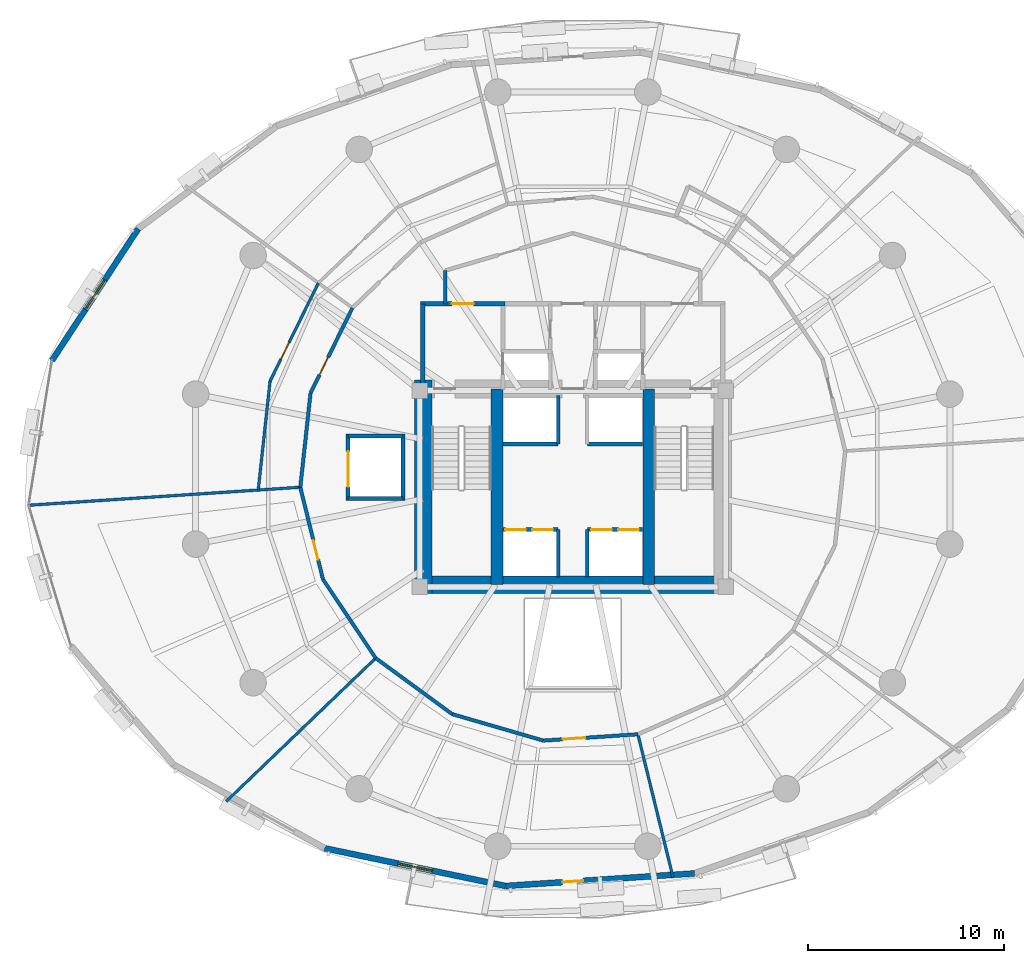
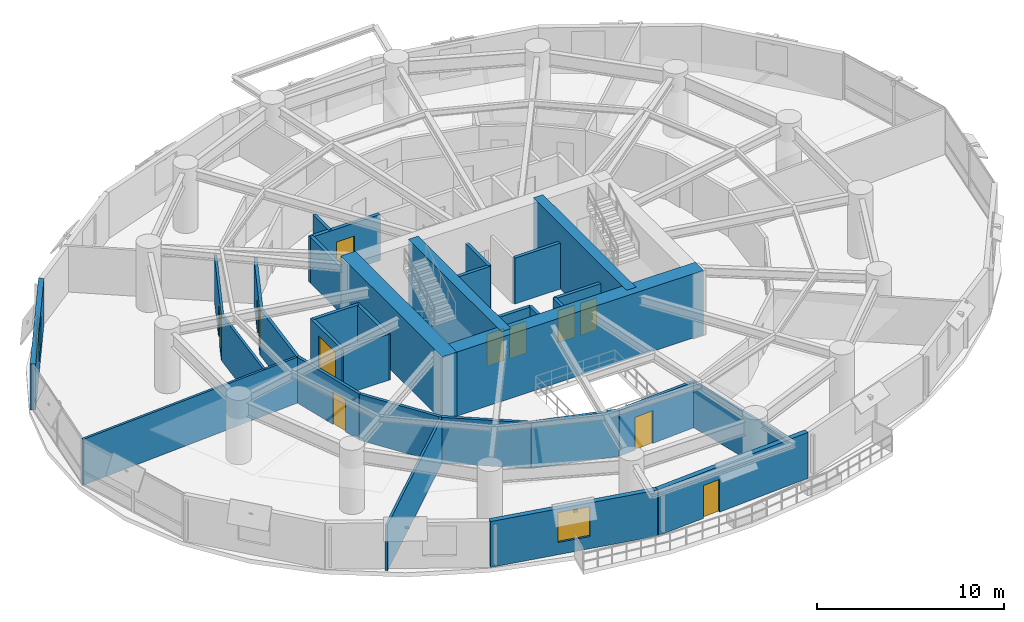
# One storey, part 10 of 16: 33 walls, 11 doors, 2 windows, 13 openings.
"""IFC4 building model written with IfcOpenShell, lengths in metres."""

from ifc_helpers import new_model, si_unit, direction, frame, frame_2d, origin, place, context, subcontext, project, spatial, rectangle, extrude, material, layer, layer_set, type_object, element, fill, save


model = new_model("IFC4")

# Units and contexts
model_context = context("Model", 3, precision=1e-05, world=origin(), true_north=direction((0.0, 1.0)))
body_context = subcontext(model_context, "Body", "Model", "MODEL_VIEW")
ifc_project = project(units=[si_unit("LENGTHUNIT", "METRE"), si_unit("AREAUNIT", "SQUARE_METRE"), si_unit("VOLUMEUNIT", "CUBIC_METRE"), si_unit("PLANEANGLEUNIT", "RADIAN"), si_unit("MASSUNIT", "GRAM", prefix="KILO"), si_unit("THERMODYNAMICTEMPERATUREUNIT", "KELVIN"), si_unit("POWERUNIT", "WATT")], contexts=[model_context])

# Site, building, storey
site_placement = place(None, origin())
site = spatial("IfcSite", under=ifc_project, at=site_placement, CompositionType="ELEMENT")
building_placement = place(site_placement, origin())
building = spatial("IfcBuilding", under=site, at=building_placement, Name="Ocrelia Relay Tower", CompositionType="ELEMENT")
storey_placement = place(building_placement, frame((0.0, 0.0, 46.800048828125)))
storey = spatial("IfcBuildingStorey", under=building, at=storey_placement, Name="L10", CompositionType="ELEMENT", Elevation=46.800048828125)

# Walls
ifc_material_1 = material(Name="Concrete C70/85", Category="concrete")
ifc_layer_1 = layer(ifc_material_1, 0.89990234375, Name="Concrete C70/85")
ifc_layer_set_1 = layer_set([ifc_layer_1], Name="Concrete C70/85")
wall_type_1 = type_object("IfcWallType", Name="CW-CORE-900", PredefinedType="SHEAR", material=ifc_layer_set_1)
wall_1_placement = place(storey_placement, frame((25.922119140625, 20.112060546875, 0.0), z_axis=(0.0, 0.0, 1.0), x_axis=(1.0, 0.0, 0.0)))
element("IfcWall", 1, at=wall_1_placement, inside=storey, type_object=wall_type_1, Name="L10 Core Shear Wall S", PredefinedType="SHEAR", context=body_context, shape_type="SweptSolid", body=[
    extrude(rectangle(XDim=16.165771484375, YDim=0.89990234375, at=frame_2d((8.0830078125, 0.0))), origin(), (0.0, 0.0, 1.0), 4.199951171875),
])
wall_2_placement = place(storey_placement, frame((26.3720703125, 19.662109375, 0.0), z_axis=(0.0, 0.0, 1.0), x_axis=(0.0, 1.0, 0.0)))
element("IfcWall", 2, at=wall_2_placement, inside=storey, type_object=wall_type_1, Name="L10 Core Shear Wall W", PredefinedType="SHEAR", context=body_context, shape_type="SweptSolid", body=[
    extrude(rectangle(XDim=10.8759765625, YDim=0.89990234375, at=frame_2d((5.43798828125, 0.0))), origin(), (0.0, 0.0, 1.0), 4.199951171875),
])
for number, where, z_axis, x_axis, name in (
    (3, (30.137939453125, 20.112060546875, 0.0), (0.0, 0.0, 1.0), (0.0, 1.0, 0.0), "L10 Core Shear Wall SPW"),
    (4, (37.8720703125, 20.112060546875, 0.0), (0.0, 0.0, 1.0), (0.0, 1.0, 0.0), "L10 Core Shear Wall SPE"),
):
    element("IfcWall", number, at=place(storey_placement, frame(where, z_axis=z_axis, x_axis=x_axis)), inside=storey, type_object=wall_type_1, Name=name, PredefinedType="SHEAR", context=body_context, shape_type="SweptSolid", body=[
        extrude(rectangle(XDim=9.975830078125, YDim=0.60009765625, at=frame_2d((4.98779296875, 0.0))), origin(), (0.0, 0.0, 1.0), 4.199951171875),
    ])
ifc_material_2 = material(Name="Gypsum Fireboard Partition EI60", Category="gypsum")
ifc_layer_2 = layer(ifc_material_2, 0.179931640625, Name="Gypsum Fireboard Partition EI60")
ifc_layer_set_2 = layer_set([ifc_layer_2], Name="Gypsum Fireboard Partition EI60")
wall_type_2 = type_object("IfcWallType", Name="W-CORR-EI60-180", PredefinedType="PARTITIONING", material=ifc_layer_set_2)
wall_3_placement = place(storey_placement, frame((27.5, 34.429931640625, 0.0), z_axis=(0.0, 0.0, 1.0), x_axis=(0.0, 1.0, 0.0)))
element("IfcWall", 5, at=wall_3_placement, inside=storey, type_object=wall_type_2, Name="L10 Smoke Lobby West Return", PredefinedType="PARTITIONING", context=body_context, shape_type="SweptSolid", body=[
    extrude(rectangle(XDim=1.69287109375, YDim=0.179931640625, at=frame_2d((0.846435546875, 0.0))), origin(), (0.0, 0.0, 1.0), 3.0),
])

# Wall, opening, door
wall_4_placement = place(storey_placement, frame((22.76708984375, 34.22119140625, 0.0), z_axis=(0.0, 0.0, 1.0), x_axis=(-0.44148764498, -0.897267328799, 0.0)))
wall_4 = element("IfcWall", 6, at=wall_4_placement, inside=storey, type_object=wall_type_2, Name="L10 Systems Office C Corridor Partition 1", PredefinedType="PARTITIONING", context=body_context, shape_type="SweptSolid", body=[
    extrude(rectangle(XDim=4.834228515625, YDim=0.179931640625, at=frame_2d((2.4169921875, 0.0))), origin(), (0.0, 0.0, 1.0), 3.0),
])
opening_1_placement = place(wall_4_placement, frame((2.80078125, 0.0, 0.0)))
opening_1 = element("IfcOpeningElement", 7, at=opening_1_placement, cuts=wall_4, Name="Opening D-RM100", PredefinedType="OPENING", context=body_context, shape_type="SweptSolid", body=[
    extrude(rectangle(XDim=1.0, YDim=2.14990234375, at=frame_2d((0.5, 1.074951171875))), frame((0.0, 0.10009765625, 0.0), z_axis=(0.0, -1.0, 0.0), x_axis=(1.0, 0.0, 0.0)), (0.0, 0.0, 1.0), 0.199951171875),
])
ifc_material_3 = material(Name="Acoustic oak veneer fire door", Category="wood")
door_type_1 = type_object("IfcDoorType", Name="DR-ROOM-FD60-1000", OperationType="NOTDEFINED", PredefinedType="DOOR", material=ifc_material_3)
door_1_placement = place(opening_1_placement, origin())
door_1 = element("IfcDoor", 8, at=door_1_placement, inside=storey, type_object=door_type_1, Name="L10 Systems Office C Entrance Door", OperationType="SINGLE_SWING_LEFT", OverallHeight=2.14990234375, OverallWidth=1.0, PredefinedType="DOOR", context=body_context, shape_type="SweptSolid", body=[
    extrude(rectangle(XDim=1.0, YDim=2.14990234375, at=frame_2d((0.5, 1.074951171875))), frame((0.0, 0.02490234375, 0.0), z_axis=(0.0, -1.0, 0.0), x_axis=(1.0, 0.0, 0.0)), (0.0, 0.0, 1.0), 0.050048828125),
])
fill(opening_1, door_1)

# Wall
wall_5_placement = place(storey_placement, frame((20.6328125, 29.883544921875, 0.0), z_axis=(0.0, 0.0, 1.0), x_axis=(-0.108020120209, -0.994148708006, 0.0)))
element("IfcWall", 9, at=wall_5_placement, inside=storey, type_object=wall_type_2, Name="L10 Systems Office C Corridor Partition 2", PredefinedType="PARTITIONING", context=body_context, shape_type="SweptSolid", body=[
    extrude(rectangle(XDim=4.83447265625, YDim=0.179931640625, at=frame_2d((2.417236328125, 0.0))), origin(), (0.0, 0.0, 1.0), 3.0),
])

# Wall, opening, door
wall_6_placement = place(storey_placement, frame((20.110595703125, 25.077392578125, 0.0), z_axis=(0.0, 0.0, 1.0), x_axis=(0.23856484239, -0.971126570523, 0.0)))
wall_6 = element("IfcWall", 10, at=wall_6_placement, inside=storey, type_object=wall_type_2, Name="L10 Routing Office D Corridor Partition 1", PredefinedType="PARTITIONING", context=body_context, shape_type="SweptSolid", body=[
    extrude(rectangle(XDim=4.83447265625, YDim=0.179931640625, at=frame_2d((2.417236328125, 0.0))), origin(), (0.0, 0.0, 1.0), 3.0),
])
opening_2_placement = place(wall_6_placement, frame((2.80078125, 0.0, 0.0)))
opening_2 = element("IfcOpeningElement", 11, at=opening_2_placement, cuts=wall_6, Name="Opening D-RM100", PredefinedType="OPENING", context=body_context, shape_type="SweptSolid", body=[
    extrude(rectangle(XDim=1.0, YDim=2.14990234375, at=frame_2d((0.5, 1.074951171875))), frame((0.0, 0.10009765625, 0.0), z_axis=(0.0, -1.0, 0.0), x_axis=(1.0, 0.0, 0.0)), (0.0, 0.0, 1.0), 0.199951171875),
])
door_2_placement = place(opening_2_placement, origin())
door_2 = element("IfcDoor", 12, at=door_2_placement, inside=storey, type_object=door_type_1, Name="L10 Routing Office D Entrance Door", OperationType="SINGLE_SWING_LEFT", OverallHeight=2.14990234375, OverallWidth=1.0, PredefinedType="DOOR", context=body_context, shape_type="SweptSolid", body=[
    extrude(rectangle(XDim=1.0, YDim=2.14990234375, at=frame_2d((0.5, 1.074951171875))), frame((0.0, 0.02490234375, 0.0), z_axis=(0.0, -1.0, 0.0), x_axis=(1.0, 0.0, 0.0)), (0.0, 0.0, 1.0), 0.050048828125),
])
fill(opening_2, door_2)

# Walls
wall_7_placement = place(storey_placement, frame((21.263916015625, 20.382568359375, 0.0), z_axis=(0.0, 0.0, 1.0), x_axis=(0.556295861918, -0.830984304312, 0.0)))
element("IfcWall", 13, at=wall_7_placement, inside=storey, type_object=wall_type_2, Name="L10 Routing Office D Corridor Partition 2", PredefinedType="PARTITIONING", context=body_context, shape_type="SweptSolid", body=[
    extrude(rectangle(XDim=4.834228515625, YDim=0.179931640625, at=frame_2d((2.4169921875, 0.0))), origin(), (0.0, 0.0, 1.0), 3.0),
])
wall_8_placement = place(storey_placement, frame((23.953125, 16.365478515625, 0.0), z_axis=(0.0, 0.0, 1.0), x_axis=(0.806956945118, -0.590610268049, 0.0)))
element("IfcWall", 14, at=wall_8_placement, inside=storey, type_object=wall_type_2, Name="L10 Colocation Data Hall A Corridor Partition 1", PredefinedType="PARTITIONING", context=body_context, shape_type="SweptSolid", body=[
    extrude(rectangle(XDim=4.83447265625, YDim=0.179931640625, at=frame_2d((2.417236328125, 0.0))), origin(), (0.0, 0.0, 1.0), 3.0),
])
wall_9_placement = place(storey_placement, frame((27.854248046875, 13.51025390625, 0.0), z_axis=(0.0, 0.0, 1.0), x_axis=(0.960285136702, -0.279020530122, 0.0)))
element("IfcWall", 15, at=wall_9_placement, inside=storey, type_object=wall_type_2, Name="L10 Colocation Data Hall A Corridor Partition 2", PredefinedType="PARTITIONING", context=body_context, shape_type="SweptSolid", body=[
    extrude(rectangle(XDim=4.834228515625, YDim=0.179931640625, at=frame_2d((2.4169921875, 0.0))), origin(), (0.0, 0.0, 1.0), 3.0),
])

# Wall, opening, door
wall_10_placement = place(storey_placement, frame((32.49658203125, 12.161376953125, 0.0), z_axis=(0.0, 0.0, 1.0), x_axis=(0.997802553219, 0.066257564016, 0.0)))
wall_10 = element("IfcWall", 16, at=wall_10_placement, inside=storey, type_object=wall_type_2, Name="L10 Colocation Data Hall A Corridor Partition 3", PredefinedType="PARTITIONING", context=body_context, shape_type="SweptSolid", body=[
    extrude(rectangle(XDim=4.83447265625, YDim=0.179931640625, at=frame_2d((2.417236328125, 0.0))), origin(), (0.0, 0.0, 1.0), 3.0),
])
opening_3_placement = place(wall_10_placement, frame((0.99609375, 0.0, 0.0)))
opening_3 = element("IfcOpeningElement", 17, at=opening_3_placement, cuts=wall_10, Name="Opening D-RM115", PredefinedType="OPENING", context=body_context, shape_type="SweptSolid", body=[
    extrude(rectangle(XDim=1.14990234375, YDim=2.14990234375, at=frame_2d((0.574951171875, 1.074951171875))), frame((0.0, 0.10009765625, 0.0), z_axis=(0.0, -1.0, 0.0), x_axis=(1.0, 0.0, 0.0)), (0.0, 0.0, 1.0), 0.199951171875),
])
ifc_material_4 = material(Name="Wide acoustic oak veneer fire door", Category="wood")
door_type_2 = type_object("IfcDoorType", Name="DR-ROOM-1150", OperationType="NOTDEFINED", PredefinedType="DOOR", material=ifc_material_4)
door_3_placement = place(opening_3_placement, origin())
door_3 = element("IfcDoor", 18, at=door_3_placement, inside=storey, type_object=door_type_2, Name="L10 Colocation Data Hall A Entrance Door", OperationType="SINGLE_SWING_RIGHT", OverallHeight=2.14990234375, OverallWidth=1.14990234375, PredefinedType="DOOR", context=body_context, shape_type="SweptSolid", body=[
    extrude(rectangle(XDim=1.14990234375, YDim=2.14990234375, at=frame_2d((0.574951171875, 1.074951171875))), frame((0.0, 0.02490234375, 0.0), z_axis=(0.0, -1.0, 0.0), x_axis=(1.0, 0.0, 0.0)), (0.0, 0.0, 1.0), 0.050048828125),
])
fill(opening_3, door_3)

# Wall, opening, window
ifc_material_5 = material(Name="Precast concrete C40/50 with oxide terracotta", Category="masonry")
ifc_layer_3 = layer(ifc_material_5, 0.300048828125, Name="Precast concrete C40/50 with oxide terracotta")
ifc_layer_set_3 = layer_set([ifc_layer_3], Name="Precast concrete C40/50 with oxide terracotta")
wall_type_3 = type_object("IfcWallType", Name="W-EXT-TERR-300", PredefinedType="SOLIDWALL", material=ifc_layer_set_3)
wall_11_placement = place(storey_placement, frame((11.843505859375, 38.25, 0.0), z_axis=(0.0, 0.0, 1.0), x_axis=(-0.547551088474, -0.836772254267, 0.0)))
wall_11 = element("IfcWall", 19, at=wall_11_placement, inside=storey, type_object=wall_type_3, Name="L10 Oxide Terracotta Facade Wall 08", PredefinedType="SOLIDWALL", context=body_context, shape_type="SweptSolid", body=[
    extrude(rectangle(XDim=8.021728515625, YDim=0.300048828125, at=frame_2d((4.0107421875, 0.0))), origin(), (0.0, 0.0, 1.0), 3.0),
])
opening_4_placement = place(wall_11_placement, frame((3.111083984375, 0.0, 0.800048828125)))
opening_4 = element("IfcOpeningElement", 20, at=opening_4_placement, cuts=wall_11, Name="Opening W-02", PredefinedType="OPENING", context=body_context, shape_type="SweptSolid", body=[
    extrude(rectangle(XDim=1.800048828125, YDim=1.949951171875, at=frame_2d((0.89990234375, 0.97509765625))), frame((0.0, 0.16015625, 0.0), z_axis=(0.0, -1.0, 0.0), x_axis=(1.0, 0.0, 0.0)), (0.0, 0.0, 1.0), 0.320068359375),
])
ifc_material_6 = material(Name="Clear double-glazed low-E glass", Category="glass")
window_type = type_object("IfcWindowType", Name="WIN-Z1-1800x2100", PartitioningType="DOUBLE_PANEL_VERTICAL", PredefinedType="WINDOW", material=ifc_material_6)
window_1_placement = place(opening_4_placement, origin())
window_1 = element("IfcWindow", 21, at=window_1_placement, inside=storey, type_object=window_type, Name="L10 Facade Module Window 08", OverallHeight=1.949951171875, OverallWidth=1.800048828125, PartitioningType="SINGLE_PANEL", PredefinedType="WINDOW", context=body_context, shape_type="SweptSolid", body=[
    extrude(rectangle(XDim=1.800048828125, YDim=1.949951171875, at=frame_2d((0.89990234375, 0.97509765625))), frame((0.0, 0.030029296875, 0.0), z_axis=(0.0, -1.0, 0.0), x_axis=(1.0, 0.0, 0.0)), (0.0, 0.0, 1.0), 0.06005859375),
])
fill(opening_4, window_1)

wall_12_placement = place(storey_placement, frame((21.35302734375, 6.673095703125, 0.0), z_axis=(0.0, 0.0, 1.0), x_axis=(0.978929281729, -0.20419956262, 0.0)))
wall_12 = element("IfcWall", 22, at=wall_12_placement, inside=storey, type_object=wall_type_3, Name="L10 Oxide Terracotta Facade Wall 13", PredefinedType="SOLIDWALL", context=body_context, shape_type="SweptSolid", body=[
    extrude(rectangle(XDim=9.4189453125, YDim=0.300048828125, at=frame_2d((4.70947265625, 0.0))), origin(), (0.0, 0.0, 1.0), 3.0),
])
opening_5_placement = place(wall_12_placement, frame((3.80908203125, 0.0, 0.800048828125)))
opening_5 = element("IfcOpeningElement", 23, at=opening_5_placement, cuts=wall_12, Name="Opening W-02", PredefinedType="OPENING", context=body_context, shape_type="SweptSolid", body=[
    extrude(rectangle(XDim=1.800048828125, YDim=1.949951171875, at=frame_2d((0.89990234375, 0.97509765625))), frame((0.0, 0.16015625, 0.0), z_axis=(0.0, -1.0, 0.0), x_axis=(1.0, 0.0, 0.0)), (0.0, 0.0, 1.0), 0.320068359375),
])
window_2_placement = place(opening_5_placement, origin())
window_2 = element("IfcWindow", 24, at=window_2_placement, inside=storey, type_object=window_type, Name="L10 Facade Module Window 13", OverallHeight=1.949951171875, OverallWidth=1.800048828125, PartitioningType="SINGLE_PANEL", PredefinedType="WINDOW", context=body_context, shape_type="SweptSolid", body=[
    extrude(rectangle(XDim=1.800048828125, YDim=1.949951171875, at=frame_2d((0.89990234375, 0.97509765625))), frame((0.0, 0.030029296875, 0.0), z_axis=(0.0, -1.0, 0.0), x_axis=(1.0, 0.0, 0.0)), (0.0, 0.0, 1.0), 0.06005859375),
])
fill(opening_5, window_2)

# Wall, opening, door
wall_13_placement = place(storey_placement, frame((30.573486328125, 4.749755859375, 0.0), z_axis=(0.0, 0.0, 1.0), x_axis=(0.997801240682, 0.066277327145, 0.0)))
wall_13 = element("IfcWall", 25, at=wall_13_placement, inside=storey, type_object=wall_type_3, Name="L10 Oxide Terracotta Facade Wall 14", PredefinedType="SOLIDWALL", context=body_context, shape_type="SweptSolid", body=[
    extrude(rectangle(XDim=9.65478515625, YDim=0.300048828125, at=frame_2d((4.827392578125, 0.0))), origin(), (0.0, 0.0, 1.0), 3.0),
])
opening_6_placement = place(wall_13_placement, frame((2.909912109375, 0.0, 0.0)))
opening_6 = element("IfcOpeningElement", 26, at=opening_6_placement, cuts=wall_13, Name="Opening DB-105", PredefinedType="OPENING", context=body_context, shape_type="SweptSolid", body=[
    extrude(rectangle(XDim=1.050048828125, YDim=2.14990234375, at=frame_2d((0.52490234375, 1.074951171875))), frame((0.0, 0.16015625, 0.0), z_axis=(0.0, -1.0, 0.0), x_axis=(1.0, 0.0, 0.0)), (0.0, 0.0, 1.0), 0.320068359375),
])
ifc_material_7 = material(Name="Thermally broken aluminium and clear glass", Category="aluminium")
door_type_3 = type_object("IfcDoorType", Name="DR-BALC-1050", OperationType="NOTDEFINED", PredefinedType="DOOR", material=ifc_material_7)
door_4_placement = place(opening_6_placement, origin())
door_4 = element("IfcDoor", 27, at=door_4_placement, inside=storey, type_object=door_type_3, Name="L10 Planted Loggia Balcony Door B2", OperationType="SINGLE_SWING_LEFT", OverallHeight=2.14990234375, OverallWidth=1.050048828125, PredefinedType="DOOR", context=body_context, shape_type="SweptSolid", body=[
    extrude(rectangle(XDim=1.050048828125, YDim=2.14990234375, at=frame_2d((0.52490234375, 1.074951171875))), frame((0.0, 0.02490234375, 0.0), z_axis=(0.0, -1.0, 0.0), x_axis=(1.0, 0.0, 0.0)), (0.0, 0.0, 1.0), 0.050048828125),
])
fill(opening_6, door_4)

# Wall
ifc_material_8 = material(Name="Concrete C50/60", Category="concrete")
ifc_layer_4 = layer(ifc_material_8, 0.219970703125, Name="Concrete C50/60")
ifc_layer_set_4 = layer_set([ifc_layer_4], Name="Concrete C50/60")
wall_type_4 = type_object("IfcWallType", Name="W-FFL-EI120-220", PredefinedType="SOLIDWALL", material=ifc_layer_set_4)
wall_14_placement = place(storey_placement, frame((26.35009765625, 30.050048828125, 0.0), z_axis=(0.0, 0.0, 1.0), x_axis=(0.0, 1.0, 0.0)))
element("IfcWall", 28, at=wall_14_placement, inside=storey, type_object=wall_type_4, Name="L10 W Fire Service Lift Lobby West Wall", PredefinedType="SOLIDWALL", context=body_context, shape_type="SweptSolid", body=[
    extrude(rectangle(XDim=4.3798828125, YDim=0.219970703125, at=frame_2d((2.18994140625, 0.0))), origin(), (0.0, 0.0, 1.0), 3.0),
])

# Wall, opening, door
wall_15_placement = place(storey_placement, frame((26.239990234375, 34.429931640625, 0.0), z_axis=(0.0, 0.0, 1.0), x_axis=(1.0, 0.0, 0.0)))
wall_15 = element("IfcWall", 29, at=wall_15_placement, inside=storey, type_object=wall_type_4, Name="L10 W Fire Service Lift Lobby North Wall", PredefinedType="SOLIDWALL", context=body_context, shape_type="SweptSolid", body=[
    extrude(rectangle(XDim=4.31005859375, YDim=0.219970703125, at=frame_2d((2.155029296875, 0.0))), origin(), (0.0, 0.0, 1.0), 3.0),
])
opening_7_placement = place(wall_15_placement, frame((1.60009765625, 0.0, 0.0)))
opening_7 = element("IfcOpeningElement", 30, at=opening_7_placement, cuts=wall_15, Name="Opening D-FD60", PredefinedType="OPENING", context=body_context, shape_type="SweptSolid", body=[
    extrude(rectangle(XDim=1.10009765625, YDim=2.14990234375, at=frame_2d((0.550048828125, 1.074951171875))), frame((0.0, 0.1201171875, 0.0), z_axis=(0.0, -1.0, 0.0), x_axis=(1.0, 0.0, 0.0)), (0.0, 0.0, 1.0), 0.239990234375),
])
ifc_material_9 = material(Name="Timber-core 60-min acoustic fire door", Category="wood")
door_type_4 = type_object("IfcDoorType", Name="DR-LOBBY-FD60-1100", OperationType="NOTDEFINED", PredefinedType="DOOR", material=ifc_material_9)
door_5_placement = place(opening_7_placement, origin())
door_5 = element("IfcDoor", 31, at=door_5_placement, inside=storey, type_object=door_type_4, Name="L10 W Fire Service Lift Lobby Exit Door", OperationType="SINGLE_SWING_LEFT", OverallHeight=2.14990234375, OverallWidth=1.10009765625, PredefinedType="DOOR", context=body_context, shape_type="SweptSolid", body=[
    extrude(rectangle(XDim=1.10009765625, YDim=2.14990234375, at=frame_2d((0.550048828125, 1.074951171875))), frame((0.0, 0.02490234375, 0.0), z_axis=(0.0, -1.0, 0.0), x_axis=(1.0, 0.0, 0.0)), (0.0, 0.0, 1.0), 0.050048828125),
])
fill(opening_7, door_5)

# Wall
ifc_material_10 = material(Name="Acoustic Fireboard Partition EI60", Category="gypsum")
ifc_layer_5 = layer(ifc_material_10, 0.139892578125, Name="Acoustic Fireboard Partition EI60")
ifc_layer_set_5 = layer_set([ifc_layer_5], Name="Acoustic Fireboard Partition EI60")
wall_type_5 = type_object("IfcWallType", Name="W-PART-140", PredefinedType="PARTITIONING", material=ifc_layer_set_5)
wall_16_placement = place(storey_placement, frame((20.110595703125, 25.077392578125, 0.0), z_axis=(0.0, 0.0, 1.0), x_axis=(-0.99780247965, -0.066258671923, 0.0)))
element("IfcWall", 32, at=wall_16_placement, inside=storey, type_object=wall_type_5, Name="L10 Systems Office C Radial Partition", PredefinedType="PARTITIONING", context=body_context, shape_type="SweptSolid", body=[
    extrude(rectangle(XDim=13.880126953125, YDim=0.139892578125, at=frame_2d((6.93994140625, 0.0))), origin(), (0.0, 0.0, 1.0), 3.0),
])

# Wall, opening, door
wall_17_placement = place(storey_placement, frame((21.031982421875, 35.490966796875, 0.0), z_axis=(0.0, 0.0, 1.0), x_axis=(-0.441482494999, -0.897269862756, 0.0)))
wall_17 = element("IfcWall", 33, at=wall_17_placement, inside=storey, type_object=wall_type_5, Name="L10 Perimeter Systems Office C Mid-Ring Partition 1", PredefinedType="PARTITIONING", context=body_context, shape_type="SweptSolid", body=[
    extrude(rectangle(XDim=5.580810546875, YDim=0.139892578125, at=frame_2d((2.79052734375, 0.0))), origin(), (0.0, 0.0, 1.0), 3.0),
])
opening_8_placement = place(wall_17_placement, frame((3.38330078125, 0.0, 0.0)))
opening_8 = element("IfcOpeningElement", 34, at=opening_8_placement, cuts=wall_17, Name="Opening D-RM95", PredefinedType="OPENING", context=body_context, shape_type="SweptSolid", body=[
    extrude(rectangle(XDim=0.949951171875, YDim=2.14990234375, at=frame_2d((0.47509765625, 1.074951171875))), frame((0.0, 0.080078125, 0.0), z_axis=(0.0, -1.0, 0.0), x_axis=(1.0, 0.0, 0.0)), (0.0, 0.0, 1.0), 0.159912109375),
])
door_type_5 = type_object("IfcDoorType", Name="DR-ROOM-950", OperationType="NOTDEFINED", PredefinedType="DOOR", material=ifc_material_3)
door_6_placement = place(opening_8_placement, origin())
door_6 = element("IfcDoor", 35, at=door_6_placement, inside=storey, type_object=door_type_5, Name="L10 Perimeter Systems Office C Connecting Door", OperationType="SINGLE_SWING_RIGHT", OverallHeight=2.14990234375, OverallWidth=0.949951171875, PredefinedType="DOOR", context=body_context, shape_type="SweptSolid", body=[
    extrude(rectangle(XDim=0.949951171875, YDim=2.14990234375, at=frame_2d((0.47509765625, 1.074951171875))), frame((0.0, 0.02490234375, 0.0), z_axis=(0.0, -1.0, 0.0), x_axis=(1.0, 0.0, 0.0)), (0.0, 0.0, 1.0), 0.050048828125),
])
fill(opening_8, door_6)

# Walls
wall_18_placement = place(storey_placement, frame((18.568115234375, 30.4833984375, 0.0), z_axis=(0.0, 0.0, 1.0), x_axis=(-0.10800654761, -0.994150182655, 0.0)))
element("IfcWall", 36, at=wall_18_placement, inside=storey, type_object=wall_type_5, Name="L10 Perimeter Systems Office C Mid-Ring Partition 2", PredefinedType="PARTITIONING", context=body_context, shape_type="SweptSolid", body=[
    extrude(rectangle(XDim=5.5810546875, YDim=0.139892578125, at=frame_2d((2.79052734375, 0.0))), origin(), (0.0, 0.0, 1.0), 3.0),
])
wall_19_placement = place(storey_placement, frame((23.953125, 16.365478515625, 0.0), z_axis=(0.0, 0.0, 1.0), x_axis=(-0.721750224286, -0.692153605599, 0.0)))
element("IfcWall", 37, at=wall_19_placement, inside=storey, type_object=wall_type_5, Name="L10 Routing Office D Radial Partition", PredefinedType="PARTITIONING", context=body_context, shape_type="SweptSolid", body=[
    extrude(rectangle(XDim=10.55029296875, YDim=0.139892578125, at=frame_2d((5.275146484375, 0.0))), origin(), (0.0, 0.0, 1.0), 3.0),
])
wall_20_placement = place(storey_placement, frame((37.3203125, 12.481689453125, 0.0), z_axis=(0.0, 0.0, 1.0), x_axis=(0.238558066821, -0.971128234969, 0.0)))
element("IfcWall", 38, at=wall_20_placement, inside=storey, type_object=wall_type_5, Name="L10 Colocation Data Hall A Radial Partition", PredefinedType="PARTITIONING", context=body_context, shape_type="SweptSolid", body=[
    extrude(rectangle(XDim=7.513916015625, YDim=0.139892578125, at=frame_2d((3.7568359375, 0.0))), origin(), (0.0, 0.0, 1.0), 3.0),
])

# Wall, openings, doors
ifc_layer_6 = layer(ifc_material_8, 0.199951171875, Name="Concrete C50/60")
ifc_layer_set_6 = layer_set([ifc_layer_6], Name="Concrete C50/60")
wall_type_6 = type_object("IfcWallType", Name="W-SHAFT-EI120-200", PredefinedType="SOLIDWALL", material=ifc_layer_set_6)
wall_21_placement = place(storey_placement, frame((30.43994140625, 22.919921875, 0.0), z_axis=(0.0, 0.0, 1.0), x_axis=(1.0, 0.0, 0.0)))
wall_21 = element("IfcWall", 39, at=wall_21_placement, inside=storey, type_object=wall_type_6, Name="L10 Low-Rise Lift Hoistway Wall W", PredefinedType="SOLIDWALL", context=body_context, shape_type="SweptSolid", body=[
    extrude(rectangle(XDim=2.81005859375, YDim=0.199951171875, at=frame_2d((1.405029296875, 0.0))), origin(), (0.0, 0.0, 1.0), 3.0),
])
opening_9_placement = place(wall_21_placement, frame((0.1201171875, 0.0, 0.0)))
opening_9 = element("IfcOpeningElement", 40, at=opening_9_placement, cuts=wall_21, Name="Opening LD-PL1", PredefinedType="OPENING", context=body_context, shape_type="SweptSolid", body=[
    extrude(rectangle(XDim=1.050048828125, YDim=2.10009765625, at=frame_2d((0.52490234375, 1.050048828125))), frame((0.0, 0.10986328125, 0.0), z_axis=(0.0, -1.0, 0.0), x_axis=(1.0, 0.0, 0.0)), (0.0, 0.0, 1.0), 0.219970703125),
])
opening_10_placement = place(wall_21_placement, frame((1.5, 0.0, 0.0)))
opening_10 = element("IfcOpeningElement", 41, at=opening_10_placement, cuts=wall_21, Name="Opening LD-PL2", PredefinedType="OPENING", context=body_context, shape_type="SweptSolid", body=[
    extrude(rectangle(XDim=1.050048828125, YDim=2.10009765625, at=frame_2d((0.52490234375, 1.050048828125))), frame((0.0, 0.10986328125, 0.0), z_axis=(0.0, -1.0, 0.0), x_axis=(1.0, 0.0, 0.0)), (0.0, 0.0, 1.0), 0.219970703125),
])
ifc_material_11 = material(Name="Brushed stainless steel S355 lift landing door", Category="steel")
door_type_6 = type_object("IfcDoorType", Name="DR-LIFT-LAND-1050", OperationType="DOUBLE_DOOR_SLIDING", PredefinedType="USERDEFINED", material=ifc_material_11)
door_7_placement = place(opening_9_placement, origin())
door_7 = element("IfcDoor", 42, at=door_7_placement, inside=storey, type_object=door_type_6, Name="L10 Passenger Lift PL1 Sliding Landing Door", ObjectType="LANDING DOOR", OperationType="DOUBLE_DOOR_SLIDING", OverallHeight=2.10009765625, OverallWidth=1.050048828125, PredefinedType="USERDEFINED", context=body_context, shape_type="SweptSolid", body=[
    extrude(rectangle(XDim=1.050048828125, YDim=2.10009765625, at=frame_2d((0.52490234375, 1.050048828125))), frame((0.0, 0.02490234375, 0.0), z_axis=(0.0, -1.0, 0.0), x_axis=(1.0, 0.0, 0.0)), (0.0, 0.0, 1.0), 0.050048828125),
])
fill(opening_9, door_7)
door_8_placement = place(opening_10_placement, origin())
door_8 = element("IfcDoor", 43, at=door_8_placement, inside=storey, type_object=door_type_6, Name="L10 Passenger Lift PL2 Sliding Landing Door", ObjectType="LANDING DOOR", OperationType="DOUBLE_DOOR_SLIDING", OverallHeight=2.10009765625, OverallWidth=1.050048828125, PredefinedType="USERDEFINED", context=body_context, shape_type="SweptSolid", body=[
    extrude(rectangle(XDim=1.050048828125, YDim=2.10009765625, at=frame_2d((0.52490234375, 1.050048828125))), frame((0.0, 0.02490234375, 0.0), z_axis=(0.0, -1.0, 0.0), x_axis=(1.0, 0.0, 0.0)), (0.0, 0.0, 1.0), 0.050048828125),
])
fill(opening_10, door_8)

# Wall
wall_22_placement = place(storey_placement, frame((33.25, 20.5, 0.0), z_axis=(0.0, 0.0, 1.0), x_axis=(0.0, 1.0, 0.0)))
element("IfcWall", 44, at=wall_22_placement, inside=storey, type_object=wall_type_6, Name="L10 Low-Rise Lift Throat Wall W", PredefinedType="SOLIDWALL", context=body_context, shape_type="SweptSolid", body=[
    extrude(rectangle(XDim=2.419921875, YDim=0.179931640625, at=frame_2d((1.2099609375, 0.0))), origin(), (0.0, 0.0, 1.0), 3.0),
])

# Wall, openings, doors
wall_23_placement = place(storey_placement, frame((34.75, 22.919921875, 0.0), z_axis=(0.0, 0.0, 1.0), x_axis=(1.0, 0.0, 0.0)))
wall_23 = element("IfcWall", 45, at=wall_23_placement, inside=storey, type_object=wall_type_6, Name="L10 Low-Rise Lift Hoistway Wall E", PredefinedType="SOLIDWALL", context=body_context, shape_type="SweptSolid", body=[
    extrude(rectangle(XDim=2.81005859375, YDim=0.199951171875, at=frame_2d((1.405029296875, 0.0))), origin(), (0.0, 0.0, 1.0), 3.0),
])
opening_11_placement = place(wall_23_placement, frame((0.18994140625, 0.0, 0.0)))
opening_11 = element("IfcOpeningElement", 46, at=opening_11_placement, cuts=wall_23, Name="Opening LD-PL3", PredefinedType="OPENING", context=body_context, shape_type="SweptSolid", body=[
    extrude(rectangle(XDim=1.050048828125, YDim=2.10009765625, at=frame_2d((0.52490234375, 1.050048828125))), frame((0.0, 0.10986328125, 0.0), z_axis=(0.0, -1.0, 0.0), x_axis=(1.0, 0.0, 0.0)), (0.0, 0.0, 1.0), 0.219970703125),
])
opening_12_placement = place(wall_23_placement, frame((1.570068359375, 0.0, 0.0)))
opening_12 = element("IfcOpeningElement", 47, at=opening_12_placement, cuts=wall_23, Name="Opening LD-PL4", PredefinedType="OPENING", context=body_context, shape_type="SweptSolid", body=[
    extrude(rectangle(XDim=1.050048828125, YDim=2.10009765625, at=frame_2d((0.52490234375, 1.050048828125))), frame((0.0, 0.10986328125, 0.0), z_axis=(0.0, -1.0, 0.0), x_axis=(1.0, 0.0, 0.0)), (0.0, 0.0, 1.0), 0.219970703125),
])
door_9_placement = place(opening_11_placement, origin())
door_9 = element("IfcDoor", 48, at=door_9_placement, inside=storey, type_object=door_type_6, Name="L10 Passenger Lift PL3 Sliding Landing Door", ObjectType="LANDING DOOR", OperationType="DOUBLE_DOOR_SLIDING", OverallHeight=2.10009765625, OverallWidth=1.050048828125, PredefinedType="USERDEFINED", context=body_context, shape_type="SweptSolid", body=[
    extrude(rectangle(XDim=1.050048828125, YDim=2.10009765625, at=frame_2d((0.52490234375, 1.050048828125))), frame((0.0, 0.02490234375, 0.0), z_axis=(0.0, -1.0, 0.0), x_axis=(1.0, 0.0, 0.0)), (0.0, 0.0, 1.0), 0.050048828125),
])
fill(opening_11, door_9)
door_10_placement = place(opening_12_placement, origin())
door_10 = element("IfcDoor", 49, at=door_10_placement, inside=storey, type_object=door_type_6, Name="L10 Passenger Lift PL4 Sliding Landing Door", ObjectType="LANDING DOOR", OperationType="DOUBLE_DOOR_SLIDING", OverallHeight=2.10009765625, OverallWidth=1.050048828125, PredefinedType="USERDEFINED", context=body_context, shape_type="SweptSolid", body=[
    extrude(rectangle(XDim=1.050048828125, YDim=2.10009765625, at=frame_2d((0.52490234375, 1.050048828125))), frame((0.0, 0.02490234375, 0.0), z_axis=(0.0, -1.0, 0.0), x_axis=(1.0, 0.0, 0.0)), (0.0, 0.0, 1.0), 0.050048828125),
])
fill(opening_12, door_10)

# Walls
wall_24_placement = place(storey_placement, frame((34.75, 20.5, 0.0), z_axis=(0.0, 0.0, 1.0), x_axis=(0.0, 1.0, 0.0)))
element("IfcWall", 50, at=wall_24_placement, inside=storey, type_object=wall_type_6, Name="L10 Low-Rise Lift Throat Wall E", PredefinedType="SOLIDWALL", context=body_context, shape_type="SweptSolid", body=[
    extrude(rectangle(XDim=2.419921875, YDim=0.179931640625, at=frame_2d((1.2099609375, 0.0))), origin(), (0.0, 0.0, 1.0), 3.0),
])
wall_25_placement = place(storey_placement, frame((30.43994140625, 27.280029296875, 0.0), z_axis=(0.0, 0.0, 1.0), x_axis=(1.0, 0.0, 0.0)))
element("IfcWall", 51, at=wall_25_placement, inside=storey, type_object=wall_type_6, Name="L10 High-Rise Lift Hoistway Wall W", PredefinedType="SOLIDWALL", context=body_context, shape_type="SweptSolid", body=[
    extrude(rectangle(XDim=2.81005859375, YDim=0.199951171875, at=frame_2d((1.405029296875, 0.0))), origin(), (0.0, 0.0, 1.0), 3.0),
])
wall_26_placement = place(storey_placement, frame((33.25, 27.280029296875, 0.0), z_axis=(0.0, 0.0, 1.0), x_axis=(0.0, 1.0, 0.0)))
element("IfcWall", 52, at=wall_26_placement, inside=storey, type_object=wall_type_6, Name="L10 High-Rise Lift Throat Wall W", PredefinedType="SOLIDWALL", context=body_context, shape_type="SweptSolid", body=[
    extrude(rectangle(XDim=2.469970703125, YDim=0.179931640625, at=frame_2d((1.23486328125, 0.0))), origin(), (0.0, 0.0, 1.0), 3.0),
])
wall_27_placement = place(storey_placement, frame((34.75, 27.280029296875, 0.0), z_axis=(0.0, 0.0, 1.0), x_axis=(1.0, 0.0, 0.0)))
element("IfcWall", 53, at=wall_27_placement, inside=storey, type_object=wall_type_6, Name="L10 High-Rise Lift Hoistway Wall E", PredefinedType="SOLIDWALL", context=body_context, shape_type="SweptSolid", body=[
    extrude(rectangle(XDim=2.81005859375, YDim=0.199951171875, at=frame_2d((1.405029296875, 0.0))), origin(), (0.0, 0.0, 1.0), 3.0),
])

# Wall, opening, door
wall_28_placement = place(storey_placement, frame((22.550048828125, 24.39990234375, 0.0), z_axis=(0.0, 0.0, 1.0), x_axis=(0.0, 1.0, 0.0)))
wall_28 = element("IfcWall", 54, at=wall_28_placement, inside=storey, type_object=wall_type_6, Name="L10 Goods Lift Shaft West Wall", PredefinedType="SOLIDWALL", context=body_context, shape_type="SweptSolid", body=[
    extrude(rectangle(XDim=3.400146484375, YDim=0.199951171875, at=frame_2d((1.7001953125, 0.0))), origin(), (0.0, 0.0, 1.0), 3.0),
])
opening_13_placement = place(wall_28_placement, frame((0.699951171875, 0.0, 0.0)))
opening_13 = element("IfcOpeningElement", 55, at=opening_13_placement, cuts=wall_28, Name="Opening LD-GL1", PredefinedType="OPENING", context=body_context, shape_type="SweptSolid", body=[
    extrude(rectangle(XDim=1.800048828125, YDim=2.39990234375, at=frame_2d((0.89990234375, 1.199951171875))), frame((0.0, 0.10986328125, 0.0), z_axis=(0.0, -1.0, 0.0), x_axis=(1.0, 0.0, 0.0)), (0.0, 0.0, 1.0), 0.219970703125),
])
ifc_material_12 = material(Name="Heavy-duty stainless steel S355 goods landing door", Category="steel")
door_type_7 = type_object("IfcDoorType", Name="DR-GOODS-LAND-1800", OperationType="DOUBLE_DOOR_SLIDING", PredefinedType="USERDEFINED", material=ifc_material_12)
door_11_placement = place(opening_13_placement, origin())
door_11 = element("IfcDoor", 56, at=door_11_placement, inside=storey, type_object=door_type_7, Name="L10 Goods Lift GL1 Sliding Landing Door", ObjectType="LANDING DOOR", OperationType="DOUBLE_DOOR_SLIDING", OverallHeight=2.39990234375, OverallWidth=1.800048828125, PredefinedType="USERDEFINED", context=body_context, shape_type="SweptSolid", body=[
    extrude(rectangle(XDim=1.800048828125, YDim=2.39990234375, at=frame_2d((0.89990234375, 1.199951171875))), frame((0.0, 0.02490234375, 0.0), z_axis=(0.0, -1.0, 0.0), x_axis=(1.0, 0.0, 0.0)), (0.0, 0.0, 1.0), 0.050048828125),
])
fill(opening_13, door_11)

# Walls
wall_29_placement = place(storey_placement, frame((25.35009765625, 24.39990234375, 0.0), z_axis=(0.0, 0.0, 1.0), x_axis=(0.0, 1.0, 0.0)))
element("IfcWall", 57, at=wall_29_placement, inside=storey, type_object=wall_type_6, Name="L10 Goods Lift Shaft E Wall", PredefinedType="SOLIDWALL", context=body_context, shape_type="SweptSolid", body=[
    extrude(rectangle(XDim=3.400146484375, YDim=0.199951171875, at=frame_2d((1.7001953125, 0.0))), origin(), (0.0, 0.0, 1.0), 3.0),
])
for number, where, z_axis, x_axis, name in (
    (58, (22.550048828125, 24.5, 0.0), (0.0, 0.0, 1.0), (1.0, 0.0, 0.0), "L10 Goods Lift Shaft S Wall"),
    (59, (22.550048828125, 27.699951171875, 0.0), (0.0, 0.0, 1.0), (1.0, 0.0, 0.0), "L10 Goods Lift Shaft N Wall"),
):
    element("IfcWall", number, at=place(storey_placement, frame(where, z_axis=z_axis, x_axis=x_axis)), inside=storey, type_object=wall_type_6, Name=name, PredefinedType="SOLIDWALL", context=body_context, shape_type="SweptSolid", body=[
        extrude(rectangle(XDim=2.800048828125, YDim=0.199951171875, at=frame_2d((1.39990234375, 0.0))), origin(), (0.0, 0.0, 1.0), 3.0),
    ])

save(model, "model.ifc")
